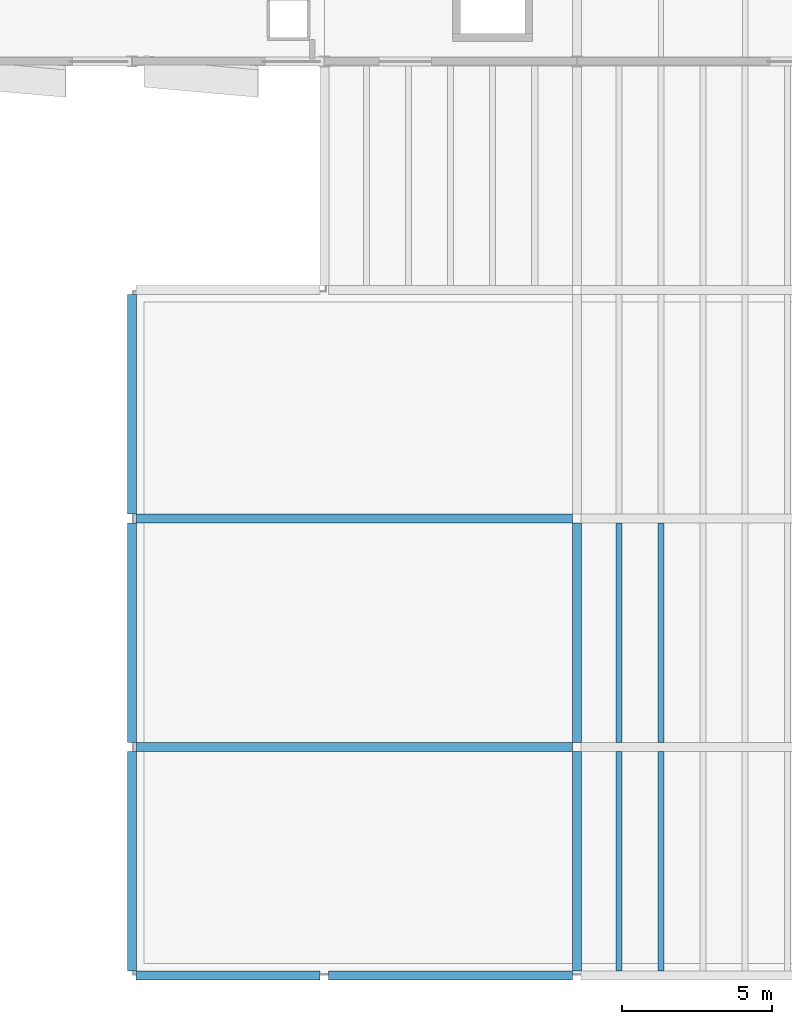
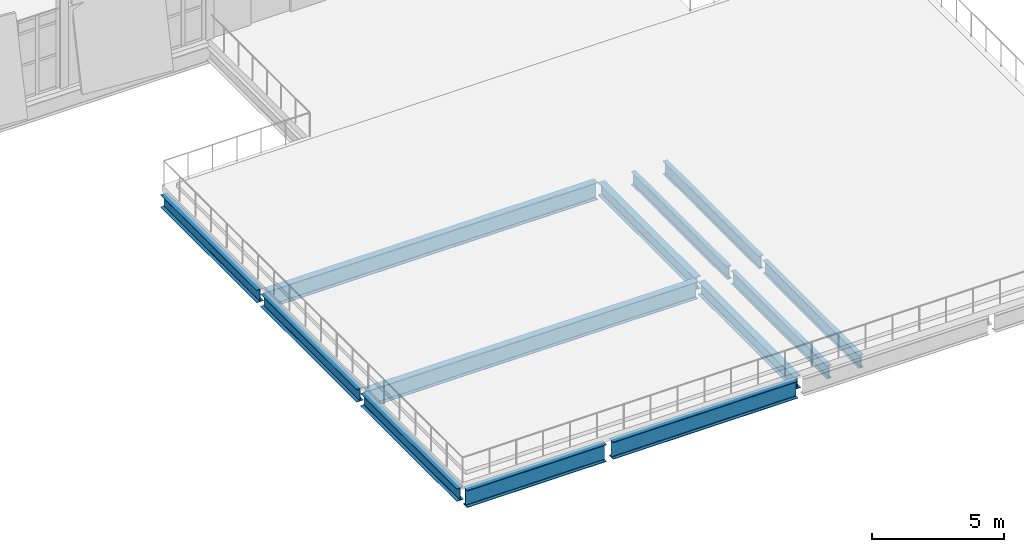
# One storey, part 3 of 74: 13 beams.
"""IFC4 building model written with IfcOpenShell, lengths in metres."""

from ifc_helpers import new_model, si_unit, direction, frame, origin, origin_2d, place, context, subcontext, project, spatial, i_section, extrude, material, material_profile, profile_set, type_object, element, save


model = new_model("IFC4")

# Units and contexts
model_context = context("Model", 3, precision=1e-05, world=origin(), true_north=direction((0.0, 1.0)))
body_context = subcontext(model_context, "Body", "Model", "MODEL_VIEW")
ifc_project = project(units=[si_unit("LENGTHUNIT", "METRE"), si_unit("AREAUNIT", "SQUARE_METRE"), si_unit("VOLUMEUNIT", "CUBIC_METRE"), si_unit("PLANEANGLEUNIT", "RADIAN"), si_unit("MASSUNIT", "GRAM", prefix="KILO")], contexts=[model_context])

# Site, building, storey
site_placement = place(None, origin())
site = spatial("IfcSite", under=ifc_project, at=site_placement, CompositionType="ELEMENT")
building_placement = place(site_placement, origin())
building = spatial("IfcBuilding", under=site, at=building_placement, Name="Shengluoqiao Park Theatre", CompositionType="ELEMENT")
storey_placement = place(building_placement, frame((0.0, 0.0, 14.60009765625)))
storey = spatial("IfcBuildingStorey", under=building, at=storey_placement, Name="L03", CompositionType="ELEMENT", Elevation=14.60009765625)

# Beams
ifc_material_1 = material(Name="Steel Q355", Category="steel")
ifc_material_profile_1 = material_profile(ifc_material_1, i_section(OverallWidth=0.300048828125, OverallDepth=0.587890625, WebThickness=0.011962890625, FlangeThickness=0.02001953125, FilletRadius=0.02392578125, at=origin_2d()), Name="HM 588x300x12x20")
ifc_profile_set_1 = profile_set([ifc_material_profile_1], Name="Steel Q355")
beam_type_1 = type_object("IfcBeamType", Name="STR-BM-G-HM588", PredefinedType="BEAM", material=ifc_profile_set_1)
for number, where, z_axis, x_axis, name in (
    (1, (12.800048828125, 0.14404296875, -0.614013671875), (0.0, 1.0, 0.0), (-1.0, 0.0, 0.0), "L03 Transverse Girder 01733"),
    (2, (12.800048828125, 7.743896484375, -0.614013671875), (0.0, 1.0, 0.0), (-1.0, 0.0, 0.0), "L03 Transverse Girder 01734"),
    (3, (12.800048828125, 15.343994140625, -0.614013671875), (0.0, 1.0, 0.0), (-1.0, 0.0, 0.0), "L03 Transverse Girder 01735"),
    (4, (27.60009765625, 0.14404296875, -0.614013671875), (0.0, 1.0, 0.0), (-1.0, 0.0, 0.0), "L03 Transverse Girder 01736"),
    (5, (27.60009765625, 7.743896484375, -0.614013671875), (0.0, 1.0, 0.0), (-1.0, 0.0, 0.0), "L03 Transverse Girder 01737"),
):
    element("IfcBeam", number, at=place(storey_placement, frame(where, z_axis=z_axis, x_axis=x_axis)), inside=storey, type_object=beam_type_1, Name=name, PredefinedType="BEAM", context=body_context, shape_type="SweptSolid", body=[
        extrude(i_section(OverallWidth=0.300048828125, OverallDepth=0.587890625, WebThickness=0.011962890625, FlangeThickness=0.02001953125, FilletRadius=0.02392578125, at=origin_2d()), origin(), (0.0, 0.0, 1.0), 7.31201171875),
    ])
ifc_material_2 = material(Name="Steel Q390", Category="steel")
ifc_material_profile_2 = material_profile(ifc_material_2, i_section(OverallWidth=0.300048828125, OverallDepth=0.800048828125, WebThickness=0.013916015625, FlangeThickness=0.02587890625, FilletRadius=0.02587890625, at=origin_2d()), Name="HN 800x300x14x26")
ifc_profile_set_2 = profile_set([ifc_material_profile_2], Name="Steel Q390")
beam_type_2 = type_object("IfcBeamType", Name="STR-BM-G-HN800", PredefinedType="BEAM", material=ifc_profile_set_2)
beam_1_placement = place(storey_placement, frame((12.944091796875, 0.0, -0.72021484375), z_axis=(1.0, 0.0, 0.0), x_axis=(0.0, 1.0, 0.0)))
element("IfcBeam", 6, at=beam_1_placement, inside=storey, type_object=beam_type_2, Name="L03 Primary Girder 01719", PredefinedType="BEAM", context=body_context, shape_type="SweptSolid", body=[
    extrude(i_section(OverallWidth=0.300048828125, OverallDepth=0.800048828125, WebThickness=0.013916015625, FlangeThickness=0.02587890625, FilletRadius=0.02587890625, at=origin_2d()), origin(), (0.0, 0.0, 1.0), 6.11181640625),
])
beam_2_placement = place(storey_placement, frame((19.343994140625, 0.0, -0.72021484375), z_axis=(1.0, 0.0, 0.0), x_axis=(0.0, 1.0, 0.0)))
element("IfcBeam", 7, at=beam_2_placement, inside=storey, type_object=beam_type_2, Name="L03 Primary Girder 01720", PredefinedType="BEAM", context=body_context, shape_type="SweptSolid", body=[
    extrude(i_section(OverallWidth=0.300048828125, OverallDepth=0.800048828125, WebThickness=0.013916015625, FlangeThickness=0.02587890625, FilletRadius=0.02587890625, at=origin_2d()), origin(), (0.0, 0.0, 1.0), 8.112060546875),
])
for number, where, z_axis, x_axis, name in (
    (8, (12.944091796875, 7.60009765625, -0.72021484375), (1.0, 0.0, 0.0), (0.0, 1.0, 0.0), "L03 Primary Girder 01723"),
    (9, (12.944091796875, 15.199951171875, -0.72021484375), (1.0, 0.0, 0.0), (0.0, 1.0, 0.0), "L03 Primary Girder 01726"),
):
    element("IfcBeam", number, at=place(storey_placement, frame(where, z_axis=z_axis, x_axis=x_axis)), inside=storey, type_object=beam_type_2, Name=name, PredefinedType="BEAM", context=body_context, shape_type="SweptSolid", body=[
        extrude(i_section(OverallWidth=0.300048828125, OverallDepth=0.800048828125, WebThickness=0.013916015625, FlangeThickness=0.02587890625, FilletRadius=0.02587890625, at=origin_2d()), origin(), (0.0, 0.0, 1.0), 14.511962890625),
    ])
ifc_material_profile_3 = material_profile(ifc_material_1, i_section(OverallWidth=0.199951171875, OverallDepth=0.60009765625, WebThickness=0.010986328125, FlangeThickness=0.01708984375, FilletRadius=0.02001953125, at=origin_2d()), Name="HN 600x200x11x17")
ifc_profile_set_3 = profile_set([ifc_material_profile_3], Name="Steel Q355")
beam_type_3 = type_object("IfcBeamType", Name="STR-BM-J-HN600", PredefinedType="JOIST", material=ifc_profile_set_3)
for number, where, z_axis, x_axis, name in (
    (10, (29.0, 0.14501953125, -0.6201171875), (0.0, 1.0, 0.0), (-1.0, 0.0, 0.0), "L03 Composite Joist 01745"),
    (11, (30.39990234375, 0.14501953125, -0.6201171875), (0.0, 1.0, 0.0), (-1.0, 0.0, 0.0), "L03 Composite Joist 01746"),
):
    element("IfcBeam", number, at=place(storey_placement, frame(where, z_axis=z_axis, x_axis=x_axis)), inside=storey, type_object=beam_type_3, Name=name, PredefinedType="JOIST", context=body_context, shape_type="SweptSolid", body=[
        extrude(i_section(OverallWidth=0.199951171875, OverallDepth=0.60009765625, WebThickness=0.010986328125, FlangeThickness=0.01708984375, FilletRadius=0.02001953125, at=origin_2d()), origin(), (0.0, 0.0, 1.0), 7.31005859375),
    ])
for number, where, z_axis, x_axis, name in (
    (12, (29.0, 7.7451171875, -0.6201171875), (0.0, 1.0, 0.0), (-1.0, 0.0, 0.0), "L03 Composite Joist 01750"),
    (13, (30.39990234375, 7.7451171875, -0.6201171875), (0.0, 1.0, 0.0), (-1.0, 0.0, 0.0), "L03 Composite Joist 01751"),
):
    element("IfcBeam", number, at=place(storey_placement, frame(where, z_axis=z_axis, x_axis=x_axis)), inside=storey, type_object=beam_type_3, Name=name, PredefinedType="JOIST", context=body_context, shape_type="SweptSolid", body=[
        extrude(i_section(OverallWidth=0.199951171875, OverallDepth=0.60009765625, WebThickness=0.010986328125, FlangeThickness=0.01708984375, FilletRadius=0.02001953125, at=origin_2d()), origin(), (0.0, 0.0, 1.0), 7.309814453125),
    ])

save(model, "model.ifc")
